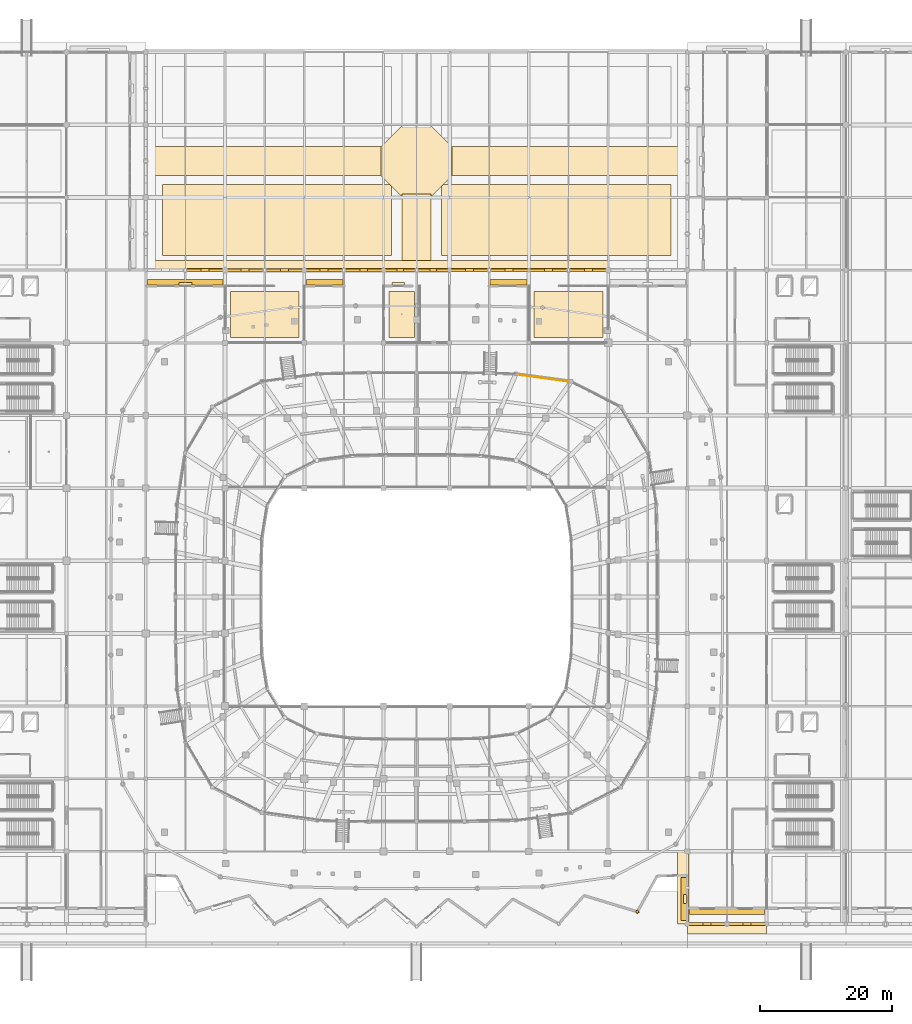
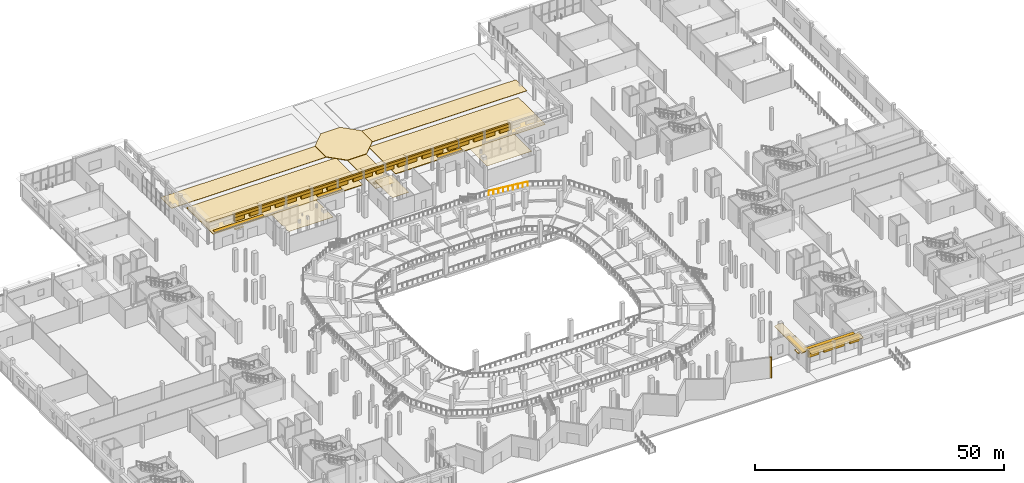
# One storey, part 107 of 120: 60 coverings, 5 shading devices, 1 railing.
"""IFC4 building model written with IfcOpenShell, lengths in metres."""

from ifc_helpers import new_model, si_unit, direction, frame, origin, origin_2d, place, context, subcontext, project, spatial, polyline, rectangle, circle, outline, extrude, material, layer, layer_set, type_object, element, save


model = new_model("IFC4")

# Units and contexts
model_context = context("Model", 3, precision=1e-05, world=origin(), true_north=direction((0.0, 1.0)))
body_context = subcontext(model_context, "Body", "Model", "MODEL_VIEW")
ifc_project = project(units=[si_unit("LENGTHUNIT", "METRE"), si_unit("AREAUNIT", "SQUARE_METRE"), si_unit("VOLUMEUNIT", "CUBIC_METRE"), si_unit("PLANEANGLEUNIT", "RADIAN"), si_unit("MASSUNIT", "GRAM", prefix="KILO")], contexts=[model_context])

# Site, building, storey
site_placement = place(None, origin())
site = spatial("IfcSite", under=ifc_project, at=site_placement, CompositionType="ELEMENT")
building_placement = place(site_placement, origin())
building = spatial("IfcBuilding", under=site, at=building_placement, Name="Luwafu Chhajja Arena", CompositionType="ELEMENT")
storey_placement = place(building_placement, origin())
storey = spatial("IfcBuildingStorey", under=building, at=storey_placement, Name="L00", CompositionType="ELEMENT", Elevation=0.0)

# Coverings
ifc_material_1 = material(Name="Red laterite sandstone cladding", Category="masonry")
ifc_layer_1 = layer(ifc_material_1, 0.074951171875, Name="Red laterite sandstone cladding")
ifc_layer_set_1 = layer_set([ifc_layer_1], Name="Red laterite sandstone cladding")
covering_type_1 = type_object("IfcCoveringType", Name="Dressed Red-Laterite Sandstone Cladding", PredefinedType="CLADDING", material=ifc_layer_set_1)
covering_1_placement = place(storey_placement, frame((132.427490234375, 1.864013671875, 0.0), z_axis=(0.0, 0.0, 1.0), x_axis=(0.574411104334, -0.818566969293, 0.0)))
element("IfcCovering", 1, at=covering_1_placement, inside=storey, type_object=covering_type_1, Name="L00 Pleated Bowl Sandstone Ridge Fin 28", PredefinedType="CLADDING", context=body_context, shape_type="SweptSolid", body=[
    extrude(rectangle(XDim=0.4599609375, YDim=0.360107421875, at=origin_2d()), origin(), (0.0, 0.0, 1.0), 5.054931640625),
])
covering_2_placement = place(storey_placement, frame((143.0, 0.0, 4.33984375), z_axis=(0.0, 0.0, 1.0), x_axis=(1.0, 0.0, 0.0)))
element("IfcCovering", 2, at=covering_2_placement, inside=storey, type_object=covering_type_1, Name="L00 Mughal Riwaq Arcade Arch Frieze SLW-05", PredefinedType="CLADDING", context=body_context, shape_type="SweptSolid", body=[
    extrude(rectangle(XDim=6.0, YDim=0.43994140625, at=origin_2d()), origin(), (0.0, 0.0, 1.0), 0.719970703125),
])
for number, where, z_axis, x_axis, name in (
    (3, (141.199951171875, 0.0, 3.43994140625), (0.0, 0.0, 1.0), (1.0, 0.0, 0.0), "L00 Mughal Riwaq Corbelled Arch Haunch SLW-05A"),
    (4, (144.800048828125, 0.0, 3.43994140625), (0.0, 0.0, 1.0), (1.0, 0.0, 0.0), "L00 Mughal Riwaq Corbelled Arch Haunch SLW-05B"),
):
    element("IfcCovering", number, at=place(storey_placement, frame(where, z_axis=z_axis, x_axis=x_axis)), inside=storey, type_object=covering_type_1, Name=name, PredefinedType="CLADDING", context=body_context, shape_type="SweptSolid", body=[
        extrude(rectangle(XDim=2.39990234375, YDim=0.39990234375, at=origin_2d()), origin(), (0.0, 0.0, 1.0), 0.9599609375),
    ])
covering_3_placement = place(storey_placement, frame((149.0, 0.0, 4.33984375), z_axis=(0.0, 0.0, 1.0), x_axis=(1.0, 0.0, 0.0)))
element("IfcCovering", 5, at=covering_3_placement, inside=storey, type_object=covering_type_1, Name="L00 Mughal Riwaq Arcade Arch Frieze SLW-06", PredefinedType="CLADDING", context=body_context, shape_type="SweptSolid", body=[
    extrude(rectangle(XDim=6.0, YDim=0.43994140625, at=origin_2d()), origin(), (0.0, 0.0, 1.0), 0.719970703125),
])
for number, where, z_axis, x_axis, name in (
    (6, (147.199951171875, 0.0, 3.43994140625), (0.0, 0.0, 1.0), (1.0, 0.0, 0.0), "L00 Mughal Riwaq Corbelled Arch Haunch SLW-06A"),
    (7, (150.800048828125, 0.0, 3.43994140625), (0.0, 0.0, 1.0), (1.0, 0.0, 0.0), "L00 Mughal Riwaq Corbelled Arch Haunch SLW-06B"),
):
    element("IfcCovering", number, at=place(storey_placement, frame(where, z_axis=z_axis, x_axis=x_axis)), inside=storey, type_object=covering_type_1, Name=name, PredefinedType="CLADDING", context=body_context, shape_type="SweptSolid", body=[
        extrude(rectangle(XDim=2.39990234375, YDim=0.39990234375, at=origin_2d()), origin(), (0.0, 0.0, 1.0), 0.9599609375),
    ])
covering_4_placement = place(storey_placement, frame((67.0, 99.0, 4.33984375), z_axis=(0.0, 0.0, 1.0), x_axis=(1.0, 0.0, 0.0)))
element("IfcCovering", 8, at=covering_4_placement, inside=storey, type_object=covering_type_1, Name="L00 Mughal Riwaq Arcade Arch Frieze CHS-16", PredefinedType="CLADDING", context=body_context, shape_type="SweptSolid", body=[
    extrude(rectangle(XDim=6.0, YDim=0.43994140625, at=origin_2d()), origin(), (0.0, 0.0, 1.0), 0.719970703125),
])
for number, where, z_axis, x_axis, name in (
    (9, (65.199951171875, 99.0, 3.43994140625), (0.0, 0.0, 1.0), (1.0, 0.0, 0.0), "L00 Mughal Riwaq Corbelled Arch Haunch CHS-16A"),
    (10, (68.800048828125, 99.0, 3.43994140625), (0.0, 0.0, 1.0), (1.0, 0.0, 0.0), "L00 Mughal Riwaq Corbelled Arch Haunch CHS-16B"),
):
    element("IfcCovering", number, at=place(storey_placement, frame(where, z_axis=z_axis, x_axis=x_axis)), inside=storey, type_object=covering_type_1, Name=name, PredefinedType="CLADDING", context=body_context, shape_type="SweptSolid", body=[
        extrude(rectangle(XDim=2.39990234375, YDim=0.39990234375, at=origin_2d()), origin(), (0.0, 0.0, 1.0), 0.9599609375),
    ])
covering_5_placement = place(storey_placement, frame((73.0, 99.0, 4.33984375), z_axis=(0.0, 0.0, 1.0), x_axis=(1.0, 0.0, 0.0)))
element("IfcCovering", 11, at=covering_5_placement, inside=storey, type_object=covering_type_1, Name="L00 Mughal Riwaq Arcade Arch Frieze CHS-17", PredefinedType="CLADDING", context=body_context, shape_type="SweptSolid", body=[
    extrude(rectangle(XDim=6.0, YDim=0.43994140625, at=origin_2d()), origin(), (0.0, 0.0, 1.0), 0.719970703125),
])
for number, where, z_axis, x_axis, name in (
    (12, (71.199951171875, 99.0, 3.43994140625), (0.0, 0.0, 1.0), (1.0, 0.0, 0.0), "L00 Mughal Riwaq Corbelled Arch Haunch CHS-17A"),
    (13, (74.800048828125, 99.0, 3.43994140625), (0.0, 0.0, 1.0), (1.0, 0.0, 0.0), "L00 Mughal Riwaq Corbelled Arch Haunch CHS-17B"),
):
    element("IfcCovering", number, at=place(storey_placement, frame(where, z_axis=z_axis, x_axis=x_axis)), inside=storey, type_object=covering_type_1, Name=name, PredefinedType="CLADDING", context=body_context, shape_type="SweptSolid", body=[
        extrude(rectangle(XDim=2.39990234375, YDim=0.39990234375, at=origin_2d()), origin(), (0.0, 0.0, 1.0), 0.9599609375),
    ])
covering_6_placement = place(storey_placement, frame((79.0, 99.0, 4.33984375), z_axis=(0.0, 0.0, 1.0), x_axis=(1.0, 0.0, 0.0)))
element("IfcCovering", 14, at=covering_6_placement, inside=storey, type_object=covering_type_1, Name="L00 Mughal Riwaq Arcade Arch Frieze CHS-18", PredefinedType="CLADDING", context=body_context, shape_type="SweptSolid", body=[
    extrude(rectangle(XDim=6.0, YDim=0.43994140625, at=origin_2d()), origin(), (0.0, 0.0, 1.0), 0.719970703125),
])
for number, where, z_axis, x_axis, name in (
    (15, (77.199951171875, 99.0, 3.43994140625), (0.0, 0.0, 1.0), (1.0, 0.0, 0.0), "L00 Mughal Riwaq Corbelled Arch Haunch CHS-18A"),
    (16, (80.800048828125, 99.0, 3.43994140625), (0.0, 0.0, 1.0), (1.0, 0.0, 0.0), "L00 Mughal Riwaq Corbelled Arch Haunch CHS-18B"),
):
    element("IfcCovering", number, at=place(storey_placement, frame(where, z_axis=z_axis, x_axis=x_axis)), inside=storey, type_object=covering_type_1, Name=name, PredefinedType="CLADDING", context=body_context, shape_type="SweptSolid", body=[
        extrude(rectangle(XDim=2.39990234375, YDim=0.39990234375, at=origin_2d()), origin(), (0.0, 0.0, 1.0), 0.9599609375),
    ])
covering_7_placement = place(storey_placement, frame((85.0, 99.0, 4.33984375), z_axis=(0.0, 0.0, 1.0), x_axis=(1.0, 0.0, 0.0)))
element("IfcCovering", 17, at=covering_7_placement, inside=storey, type_object=covering_type_1, Name="L00 Mughal Riwaq Arcade Arch Frieze CHS-19", PredefinedType="CLADDING", context=body_context, shape_type="SweptSolid", body=[
    extrude(rectangle(XDim=6.0, YDim=0.43994140625, at=origin_2d()), origin(), (0.0, 0.0, 1.0), 0.719970703125),
])
for number, where, z_axis, x_axis, name in (
    (18, (83.199951171875, 99.0, 3.43994140625), (0.0, 0.0, 1.0), (1.0, 0.0, 0.0), "L00 Mughal Riwaq Corbelled Arch Haunch CHS-19A"),
    (19, (86.800048828125, 99.0, 3.43994140625), (0.0, 0.0, 1.0), (1.0, 0.0, 0.0), "L00 Mughal Riwaq Corbelled Arch Haunch CHS-19B"),
):
    element("IfcCovering", number, at=place(storey_placement, frame(where, z_axis=z_axis, x_axis=x_axis)), inside=storey, type_object=covering_type_1, Name=name, PredefinedType="CLADDING", context=body_context, shape_type="SweptSolid", body=[
        extrude(rectangle(XDim=2.39990234375, YDim=0.39990234375, at=origin_2d()), origin(), (0.0, 0.0, 1.0), 0.9599609375),
    ])
covering_8_placement = place(storey_placement, frame((91.0, 99.0, 4.33984375), z_axis=(0.0, 0.0, 1.0), x_axis=(1.0, 0.0, 0.0)))
element("IfcCovering", 20, at=covering_8_placement, inside=storey, type_object=covering_type_1, Name="L00 Mughal Riwaq Arcade Arch Frieze CHS-20", PredefinedType="CLADDING", context=body_context, shape_type="SweptSolid", body=[
    extrude(rectangle(XDim=6.0, YDim=0.43994140625, at=origin_2d()), origin(), (0.0, 0.0, 1.0), 0.719970703125),
])
for number, where, z_axis, x_axis, name in (
    (21, (89.199951171875, 99.0, 3.43994140625), (0.0, 0.0, 1.0), (1.0, 0.0, 0.0), "L00 Mughal Riwaq Corbelled Arch Haunch CHS-20A"),
    (22, (92.800048828125, 99.0, 3.43994140625), (0.0, 0.0, 1.0), (1.0, 0.0, 0.0), "L00 Mughal Riwaq Corbelled Arch Haunch CHS-20B"),
):
    element("IfcCovering", number, at=place(storey_placement, frame(where, z_axis=z_axis, x_axis=x_axis)), inside=storey, type_object=covering_type_1, Name=name, PredefinedType="CLADDING", context=body_context, shape_type="SweptSolid", body=[
        extrude(rectangle(XDim=2.39990234375, YDim=0.39990234375, at=origin_2d()), origin(), (0.0, 0.0, 1.0), 0.9599609375),
    ])
covering_9_placement = place(storey_placement, frame((96.5, 99.0, 4.33984375), z_axis=(0.0, 0.0, 1.0), x_axis=(1.0, 0.0, 0.0)))
element("IfcCovering", 23, at=covering_9_placement, inside=storey, type_object=covering_type_1, Name="L00 Mughal Riwaq Arcade Arch Frieze CHS-21", PredefinedType="CLADDING", context=body_context, shape_type="SweptSolid", body=[
    extrude(rectangle(XDim=5.0, YDim=0.43994140625, at=origin_2d()), origin(), (0.0, 0.0, 1.0), 0.719970703125),
])
for number, where, z_axis, x_axis, name in (
    (24, (95.0, 99.0, 3.43994140625), (0.0, 0.0, 1.0), (1.0, 0.0, 0.0), "L00 Mughal Riwaq Corbelled Arch Haunch CHS-21A"),
    (25, (98.0, 99.0, 3.43994140625), (0.0, 0.0, 1.0), (1.0, 0.0, 0.0), "L00 Mughal Riwaq Corbelled Arch Haunch CHS-21B"),
):
    element("IfcCovering", number, at=place(storey_placement, frame(where, z_axis=z_axis, x_axis=x_axis)), inside=storey, type_object=covering_type_1, Name=name, PredefinedType="CLADDING", context=body_context, shape_type="SweptSolid", body=[
        extrude(rectangle(XDim=2.0, YDim=0.39990234375, at=origin_2d()), origin(), (0.0, 0.0, 1.0), 0.9599609375),
    ])
covering_10_placement = place(storey_placement, frame((101.5, 99.0, 4.33984375), z_axis=(0.0, 0.0, 1.0), x_axis=(1.0, 0.0, 0.0)))
element("IfcCovering", 26, at=covering_10_placement, inside=storey, type_object=covering_type_1, Name="L00 Mughal Riwaq Arcade Arch Frieze CHS-22", PredefinedType="CLADDING", context=body_context, shape_type="SweptSolid", body=[
    extrude(rectangle(XDim=5.0, YDim=0.43994140625, at=origin_2d()), origin(), (0.0, 0.0, 1.0), 0.719970703125),
])
for number, where, z_axis, x_axis, name in (
    (27, (100.0, 99.0, 3.43994140625), (0.0, 0.0, 1.0), (1.0, 0.0, 0.0), "L00 Mughal Riwaq Corbelled Arch Haunch CHS-22A"),
    (28, (103.0, 99.0, 3.43994140625), (0.0, 0.0, 1.0), (1.0, 0.0, 0.0), "L00 Mughal Riwaq Corbelled Arch Haunch CHS-22B"),
):
    element("IfcCovering", number, at=place(storey_placement, frame(where, z_axis=z_axis, x_axis=x_axis)), inside=storey, type_object=covering_type_1, Name=name, PredefinedType="CLADDING", context=body_context, shape_type="SweptSolid", body=[
        extrude(rectangle(XDim=2.0, YDim=0.39990234375, at=origin_2d()), origin(), (0.0, 0.0, 1.0), 0.9599609375),
    ])
covering_11_placement = place(storey_placement, frame((107.0, 99.0, 4.33984375), z_axis=(0.0, 0.0, 1.0), x_axis=(1.0, 0.0, 0.0)))
element("IfcCovering", 29, at=covering_11_placement, inside=storey, type_object=covering_type_1, Name="L00 Mughal Riwaq Arcade Arch Frieze CHS-23", PredefinedType="CLADDING", context=body_context, shape_type="SweptSolid", body=[
    extrude(rectangle(XDim=6.0, YDim=0.43994140625, at=origin_2d()), origin(), (0.0, 0.0, 1.0), 0.719970703125),
])
for number, where, z_axis, x_axis, name in (
    (30, (105.199951171875, 99.0, 3.43994140625), (0.0, 0.0, 1.0), (1.0, 0.0, 0.0), "L00 Mughal Riwaq Corbelled Arch Haunch CHS-23A"),
    (31, (108.800048828125, 99.0, 3.43994140625), (0.0, 0.0, 1.0), (1.0, 0.0, 0.0), "L00 Mughal Riwaq Corbelled Arch Haunch CHS-23B"),
):
    element("IfcCovering", number, at=place(storey_placement, frame(where, z_axis=z_axis, x_axis=x_axis)), inside=storey, type_object=covering_type_1, Name=name, PredefinedType="CLADDING", context=body_context, shape_type="SweptSolid", body=[
        extrude(rectangle(XDim=2.39990234375, YDim=0.39990234375, at=origin_2d()), origin(), (0.0, 0.0, 1.0), 0.9599609375),
    ])
covering_12_placement = place(storey_placement, frame((113.0, 99.0, 4.33984375), z_axis=(0.0, 0.0, 1.0), x_axis=(1.0, 0.0, 0.0)))
element("IfcCovering", 32, at=covering_12_placement, inside=storey, type_object=covering_type_1, Name="L00 Mughal Riwaq Arcade Arch Frieze CHS-24", PredefinedType="CLADDING", context=body_context, shape_type="SweptSolid", body=[
    extrude(rectangle(XDim=6.0, YDim=0.43994140625, at=origin_2d()), origin(), (0.0, 0.0, 1.0), 0.719970703125),
])
for number, where, z_axis, x_axis, name in (
    (33, (111.199951171875, 99.0, 3.43994140625), (0.0, 0.0, 1.0), (1.0, 0.0, 0.0), "L00 Mughal Riwaq Corbelled Arch Haunch CHS-24A"),
    (34, (114.800048828125, 99.0, 3.43994140625), (0.0, 0.0, 1.0), (1.0, 0.0, 0.0), "L00 Mughal Riwaq Corbelled Arch Haunch CHS-24B"),
):
    element("IfcCovering", number, at=place(storey_placement, frame(where, z_axis=z_axis, x_axis=x_axis)), inside=storey, type_object=covering_type_1, Name=name, PredefinedType="CLADDING", context=body_context, shape_type="SweptSolid", body=[
        extrude(rectangle(XDim=2.39990234375, YDim=0.39990234375, at=origin_2d()), origin(), (0.0, 0.0, 1.0), 0.9599609375),
    ])
covering_13_placement = place(storey_placement, frame((119.0, 99.0, 4.33984375), z_axis=(0.0, 0.0, 1.0), x_axis=(1.0, 0.0, 0.0)))
element("IfcCovering", 35, at=covering_13_placement, inside=storey, type_object=covering_type_1, Name="L00 Mughal Riwaq Arcade Arch Frieze CHS-25", PredefinedType="CLADDING", context=body_context, shape_type="SweptSolid", body=[
    extrude(rectangle(XDim=6.0, YDim=0.43994140625, at=origin_2d()), origin(), (0.0, 0.0, 1.0), 0.719970703125),
])
for number, where, z_axis, x_axis, name in (
    (36, (117.199951171875, 99.0, 3.43994140625), (0.0, 0.0, 1.0), (1.0, 0.0, 0.0), "L00 Mughal Riwaq Corbelled Arch Haunch CHS-25A"),
    (37, (120.800048828125, 99.0, 3.43994140625), (0.0, 0.0, 1.0), (1.0, 0.0, 0.0), "L00 Mughal Riwaq Corbelled Arch Haunch CHS-25B"),
):
    element("IfcCovering", number, at=place(storey_placement, frame(where, z_axis=z_axis, x_axis=x_axis)), inside=storey, type_object=covering_type_1, Name=name, PredefinedType="CLADDING", context=body_context, shape_type="SweptSolid", body=[
        extrude(rectangle(XDim=2.39990234375, YDim=0.39990234375, at=origin_2d()), origin(), (0.0, 0.0, 1.0), 0.9599609375),
    ])
covering_14_placement = place(storey_placement, frame((125.0, 99.0, 4.33984375), z_axis=(0.0, 0.0, 1.0), x_axis=(1.0, 0.0, 0.0)))
element("IfcCovering", 38, at=covering_14_placement, inside=storey, type_object=covering_type_1, Name="L00 Mughal Riwaq Arcade Arch Frieze CHS-26", PredefinedType="CLADDING", context=body_context, shape_type="SweptSolid", body=[
    extrude(rectangle(XDim=6.0, YDim=0.43994140625, at=origin_2d()), origin(), (0.0, 0.0, 1.0), 0.719970703125),
])
for number, where, z_axis, x_axis, name in (
    (39, (123.199951171875, 99.0, 3.43994140625), (0.0, 0.0, 1.0), (1.0, 0.0, 0.0), "L00 Mughal Riwaq Corbelled Arch Haunch CHS-26A"),
    (40, (126.800048828125, 99.0, 3.43994140625), (0.0, 0.0, 1.0), (1.0, 0.0, 0.0), "L00 Mughal Riwaq Corbelled Arch Haunch CHS-26B"),
):
    element("IfcCovering", number, at=place(storey_placement, frame(where, z_axis=z_axis, x_axis=x_axis)), inside=storey, type_object=covering_type_1, Name=name, PredefinedType="CLADDING", context=body_context, shape_type="SweptSolid", body=[
        extrude(rectangle(XDim=2.39990234375, YDim=0.39990234375, at=origin_2d()), origin(), (0.0, 0.0, 1.0), 0.9599609375),
    ])
covering_15_placement = place(storey_placement, frame((0.0, 0.0, -0.02001953125)))
element("IfcCovering", 41, at=covering_15_placement, inside=storey, type_object=covering_type_1, Name="L00 Charbagh Central Octagonal Reflection Basin Coping", PredefinedType="CLADDING", context=body_context, shape_type="SweptSolid", body=[
    extrude(outline(polyline([(104.35888671875, 117.719970703125), (101.219970703125, 120.85888671875), (96.780029296875, 120.85888671875), (93.64111328125, 117.719970703125), (93.64111328125, 113.280029296875), (96.780029296875, 110.14111328125), (101.219970703125, 110.14111328125), (104.35888671875, 113.280029296875), (104.35888671875, 117.719970703125)])), origin(), (0.0, 0.0, 1.0), 0.179931640625),
])
covering_16_placement = place(storey_placement, frame((0.0, 0.0, -0.02001953125)))
element("IfcCovering", 42, at=covering_16_placement, inside=storey, type_object=covering_type_1, Name="L00 Charbagh S Axial Sandstone Garden Walkway", PredefinedType="CLADDING", context=body_context, shape_type="SweptSolid", body=[
    extrude(outline(polyline([(96.800048828125, 98.800048828125), (101.199951171875, 98.800048828125), (101.199951171875, 110.5), (96.800048828125, 110.5), (96.800048828125, 98.800048828125)])), origin(), (0.0, 0.0, 1.0), 0.10009765625),
])
covering_17_placement = place(storey_placement, frame((0.0, 0.0, -0.02001953125)))
element("IfcCovering", 43, at=covering_17_placement, inside=storey, type_object=covering_type_1, Name="L00 Charbagh W Axial Sandstone Garden Walkway", PredefinedType="CLADDING", context=body_context, shape_type="SweptSolid", body=[
    extrude(outline(polyline([(57.800048828125, 113.300048828125), (94.0, 113.300048828125), (94.0, 117.699951171875), (57.800048828125, 117.699951171875), (57.800048828125, 113.300048828125)])), origin(), (0.0, 0.0, 1.0), 0.10009765625),
])
covering_18_placement = place(storey_placement, frame((0.0, 0.0, -0.02001953125)))
element("IfcCovering", 44, at=covering_18_placement, inside=storey, type_object=covering_type_1, Name="L00 Charbagh E Axial Sandstone Garden Walkway", PredefinedType="CLADDING", context=body_context, shape_type="SweptSolid", body=[
    extrude(outline(polyline([(104.0, 113.300048828125), (140.199951171875, 113.300048828125), (140.199951171875, 117.699951171875), (104.0, 117.699951171875), (104.0, 113.300048828125)])), origin(), (0.0, 0.0, 1.0), 0.10009765625),
])
for number, where, z_axis, x_axis, name in (
    (45, (58.0, 98.800048828125, 5.360107421875), (0.0, 0.242635142566, 0.970117615339), (1.0, 0.0, 0.0), "L00 Continuous Sloped Sandstone Chhajja Eave 0027"),
    (46, (70.0, 98.800048828125, 5.360107421875), (0.0, 0.242635142566, 0.970117615339), (1.0, 0.0, 0.0), "L00 Continuous Sloped Sandstone Chhajja Eave 0028"),
    (47, (82.0, 98.800048828125, 5.360107421875), (0.0, 0.242635142566, 0.970117615339), (1.0, 0.0, 0.0), "L00 Continuous Sloped Sandstone Chhajja Eave 0029"),
):
    element("IfcCovering", number, at=place(storey_placement, frame(where, z_axis=z_axis, x_axis=x_axis)), inside=storey, type_object=covering_type_1, Name=name, PredefinedType="CLADDING", context=body_context, shape_type="SweptSolid", body=[
        extrude(outline(polyline([(0.0, 0.0), (12.0, 0.0), (12.0, 1.7316783182390405), (0.0, 1.7316783182390405), (0.0, 0.0)])), origin(), (0.0, 0.0, -1.0), 0.1298828125),
    ])
covering_19_placement = place(storey_placement, frame((94.0, 98.800048828125, 5.360107421875), z_axis=(0.0, 0.242635142566, 0.970117615339), x_axis=(1.0, 0.0, 0.0)))
element("IfcCovering", 48, at=covering_19_placement, inside=storey, type_object=covering_type_1, Name="L00 Continuous Sloped Sandstone Chhajja Eave 0030", PredefinedType="CLADDING", context=body_context, shape_type="SweptSolid", body=[
    extrude(outline(polyline([(0.0, 0.0), (10.0, 0.0), (10.0, 1.7316783182390405), (0.0, 1.7316783182390405), (0.0, 0.0)])), origin(), (0.0, 0.0, -1.0), 0.1298828125),
])
for number, where, z_axis, x_axis, name in (
    (49, (104.0, 98.800048828125, 5.360107421875), (0.0, 0.242635142566, 0.970117615339), (1.0, 0.0, 0.0), "L00 Continuous Sloped Sandstone Chhajja Eave 0031"),
    (50, (116.0, 98.800048828125, 5.360107421875), (0.0, 0.242635142566, 0.970117615339), (1.0, 0.0, 0.0), "L00 Continuous Sloped Sandstone Chhajja Eave 0032"),
):
    element("IfcCovering", number, at=place(storey_placement, frame(where, z_axis=z_axis, x_axis=x_axis)), inside=storey, type_object=covering_type_1, Name=name, PredefinedType="CLADDING", context=body_context, shape_type="SweptSolid", body=[
        extrude(outline(polyline([(0.0, 0.0), (12.0, 0.0), (12.0, 1.7316783182390405), (0.0, 1.7316783182390405), (0.0, 0.0)])), origin(), (0.0, 0.0, -1.0), 0.1298828125),
    ])
covering_20_placement = place(storey_placement, frame((140.0, 0.199951171875, 5.360107421875), z_axis=(0.0, -0.242635142566, 0.970117615339), x_axis=(1.0, 0.0, 0.0)))
element("IfcCovering", 51, at=covering_20_placement, inside=storey, type_object=covering_type_1, Name="L00 Continuous Sloped Sandstone Chhajja Eave 0034", PredefinedType="CLADDING", context=body_context, shape_type="SweptSolid", body=[
    extrude(outline(polyline([(0.0, 0.0), (12.0, 0.0), (12.0, -1.7316783182390405), (0.0, -1.7316783182390405), (0.0, 0.0)])), origin(), (0.0, 0.0, -1.0), 0.1298828125),
])
covering_21_placement = place(storey_placement, frame((140.199951171875, 0.0, 5.360107421875), z_axis=(-0.242635142566, 0.0, 0.970117615339), x_axis=(0.0, 1.0, 0.0)))
element("IfcCovering", 52, at=covering_21_placement, inside=storey, type_object=covering_type_1, Name="L00 Continuous Sloped Sandstone Chhajja Eave 0035", PredefinedType="CLADDING", context=body_context, shape_type="SweptSolid", body=[
    extrude(outline(polyline([(0.0, 0.0), (11.0, 0.0), (11.0, 1.7316783182390405), (0.0, 1.7316783182390405), (0.0, 0.0)])), origin(), (0.0, 0.0, -1.0), 0.1298828125),
])
covering_22_placement = place(storey_placement, frame((64.0, 96.93994140625, 2.97998046875), z_axis=(0.0, 0.0, 1.0), x_axis=(1.0, 0.0, 0.0)))
element("IfcCovering", 53, at=covering_22_placement, inside=storey, type_object=covering_type_1, Name="L00 Mughal Sandstone Window Chhajja Hood 0160", PredefinedType="CLADDING", context=body_context, shape_type="SweptSolid", body=[
    extrude(rectangle(XDim=2.0, YDim=0.419921875, at=origin_2d()), origin(), (0.0, 0.0, 1.0), 0.139892578125),
])
covering_23_placement = place(storey_placement, frame((96.22900390625, 96.93994140625, 2.93017578125), z_axis=(0.0, 0.0, 1.0), x_axis=(1.0, 0.0, 0.0)))
element("IfcCovering", 54, at=covering_23_placement, inside=storey, type_object=covering_type_1, Name="L00 Mughal Sandstone Window Chhajja Hood 0161", PredefinedType="CLADDING", context=body_context, shape_type="SweptSolid", body=[
    extrude(rectangle(XDim=1.85009765625, YDim=0.419921875, at=origin_2d()), origin(), (0.0, 0.0, 1.0), 0.139892578125),
])
covering_24_placement = place(storey_placement, frame((139.659912109375, 3.7841796875, 2.6298828125), z_axis=(0.0, 0.0, 1.0), x_axis=(0.0, 1.0, 0.0)))
element("IfcCovering", 55, at=covering_24_placement, inside=storey, type_object=covering_type_1, Name="L00 Mughal Sandstone Window Chhajja Hood 0163", PredefinedType="CLADDING", context=body_context, shape_type="SweptSolid", body=[
    extrude(rectangle(XDim=1.39990234375, YDim=0.419921875, at=origin_2d()), origin(), (0.0, 0.0, 1.0), 0.139892578125),
])
ifc_material_2 = material(Name="Acoustic gypsum ceiling board")
ifc_layer_2 = layer(ifc_material_2, 0.0400390625, Name="Acoustic gypsum ceiling board")
ifc_layer_set_2 = layer_set([ifc_layer_2], Name="Acoustic gypsum ceiling board")
covering_type_2 = type_object("IfcCoveringType", Name="Perforated Acoustic Baffle Ceiling", PredefinedType="CEILING", material=ifc_layer_set_2)
covering_25_placement = place(storey_placement, frame((0.0, 0.0, 4.581298828125)))
element("IfcCovering", 56, at=covering_25_placement, inside=storey, type_object=covering_type_2, Name="L00 Acoustic Baffle Ceiling 010", PredefinedType="CEILING", context=body_context, shape_type="SweptSolid", body=[
    extrude(outline(polyline([(70.800048828125, 88.800048828125), (81.199951171875, 88.800048828125), (81.199951171875, 95.800048828125), (70.800048828125, 95.800048828125), (70.800048828125, 88.800048828125)])), origin(), (0.0, 0.0, 1.0), 0.0400390625),
])
covering_26_placement = place(storey_placement, frame((0.0, 0.0, 4.5029296875)))
element("IfcCovering", 57, at=covering_26_placement, inside=storey, type_object=covering_type_2, Name="L00 Acoustic Baffle Ceiling 011", PredefinedType="CEILING", context=body_context, shape_type="SweptSolid", body=[
    extrude(outline(polyline([(94.800048828125, 88.800048828125), (98.699951171875, 88.800048828125), (98.699951171875, 95.800048828125), (94.800048828125, 95.800048828125), (94.800048828125, 88.800048828125)])), origin(), (0.0, 0.0, 1.0), 0.0400390625),
])
covering_27_placement = place(storey_placement, frame((0.0, 0.0, 4.581298828125)))
element("IfcCovering", 58, at=covering_27_placement, inside=storey, type_object=covering_type_2, Name="L00 Acoustic Baffle Ceiling 012", PredefinedType="CEILING", context=body_context, shape_type="SweptSolid", body=[
    extrude(outline(polyline([(116.800048828125, 88.800048828125), (127.199951171875, 88.800048828125), (127.199951171875, 95.800048828125), (116.800048828125, 95.800048828125), (116.800048828125, 88.800048828125)])), origin(), (0.0, 0.0, 1.0), 0.0400390625),
])

# Railing
ifc_material_3 = material(Name="Stainless steel balustrade", Category="steel")
railing_type = type_object("IfcRailingType", Name="Seating Bowl Sightline Barrier 1100", PredefinedType="BALUSTRADE", material=ifc_material_3)
railing_placement = place(storey_placement, frame((122.363525390625, 82.064453125, 1.85009765625)))
element("IfcRailing", 59, at=railing_placement, inside=storey, type_object=railing_type, Name="L00 Lower Tier Rear Barrier 0068", PredefinedType="BALUSTRADE", context=body_context, shape_type="SweptSolid", body=[
    extrude(circle(Radius=0.02392578125, at=origin_2d()), frame((0.0, 0.0, 1.09619140625), z_axis=(-0.990868803702, 0.134829573353, 0.0), x_axis=(-0.134829573353, -0.990868803702, 0.0)), (0.0, 0.0, 1.0), 8.45068359375),
    extrude(circle(Radius=0.02099609375, at=origin_2d()), origin(), (0.0, 0.0, 1.0), 1.072021484375),
    extrude(circle(Radius=0.02099609375, at=origin_2d()), frame((-1.046630859375, 0.142333984375, 0.0)), (0.0, 0.0, 1.0), 1.072021484375),
    extrude(circle(Radius=0.02099609375, at=origin_2d()), frame((-2.09326171875, 0.284912109375, 0.0)), (0.0, 0.0, 1.0), 1.072021484375),
    extrude(circle(Radius=0.02099609375, at=origin_2d()), frame((-3.14013671875, 0.42724609375, 0.0)), (0.0, 0.0, 1.0), 1.072021484375),
    extrude(circle(Radius=0.02099609375, at=origin_2d()), frame((-4.186767578125, 0.56982421875, 0.0)), (0.0, 0.0, 1.0), 1.072021484375),
    extrude(circle(Radius=0.02099609375, at=origin_2d()), frame((-5.2333984375, 0.712158203125, 0.0)), (0.0, 0.0, 1.0), 1.072021484375),
    extrude(circle(Radius=0.02099609375, at=origin_2d()), frame((-6.2802734375, 0.8544921875, 0.0)), (0.0, 0.0, 1.0), 1.072021484375),
    extrude(circle(Radius=0.02099609375, at=origin_2d()), frame((-7.326904296875, 0.9970703125, 0.0)), (0.0, 0.0, 1.0), 1.072021484375),
    extrude(circle(Radius=0.02099609375, at=origin_2d()), frame((-8.37353515625, 1.139404296875, 0.0)), (0.0, 0.0, 1.0), 1.072021484375),
])

# Shading devices
ifc_material_4 = material(Name="Red laterite sandstone chhajja", Category="masonry")
ifc_layer_3 = layer(ifc_material_4, 0.1201171875, Name="Red laterite sandstone chhajja")
ifc_layer_set_3 = layer_set([ifc_layer_3], Name="Red laterite sandstone chhajja")
shading_device_type = type_object("IfcShadingDeviceType", Name="Sloped Red-Sandstone Chhajja Eave", PredefinedType="USERDEFINED", material=ifc_layer_set_3)
shading_device_1_placement = place(storey_placement, frame((64.0, 97.139892578125, 3.929931640625), z_axis=(0.0, 0.0, 1.0), x_axis=(1.0, 0.0, 0.0)))
element("IfcShadingDevice", 60, at=shading_device_1_placement, inside=storey, type_object=shading_device_type, Name="L00 Sloped Red-Sandstone Chhajja Eave 015", ObjectType="CHHAJJA", PredefinedType="USERDEFINED", context=body_context, shape_type="SweptSolid", body=[
    extrude(rectangle(XDim=11.39990234375, YDim=0.820068359375, at=origin_2d()), origin(), (0.0, 0.0, 1.0), 0.1201171875),
])
for number, where, z_axis, x_axis, name in (
    (61, (85.07861328125, 97.139892578125, 4.146484375), (0.0, 0.0, 1.0), (1.0, 0.0, 0.0), "L00 Sloped Red-Sandstone Chhajja Eave 016"),
    (62, (112.92138671875, 97.139892578125, 4.079833984375), (0.0, 0.0, 1.0), (1.0, 0.0, 0.0), "L00 Sloped Red-Sandstone Chhajja Eave 017"),
):
    element("IfcShadingDevice", number, at=place(storey_placement, frame(where, z_axis=z_axis, x_axis=x_axis)), inside=storey, type_object=shading_device_type, Name=name, ObjectType="CHHAJJA", PredefinedType="USERDEFINED", context=body_context, shape_type="SweptSolid", body=[
        extrude(rectangle(XDim=5.55712890625, YDim=0.820068359375, at=origin_2d()), origin(), (0.0, 0.0, 1.0), 0.1201171875),
    ])
shading_device_2_placement = place(storey_placement, frame((146.0, 1.860107421875, 4.1298828125), z_axis=(0.0, 0.0, 1.0), x_axis=(1.0, 0.0, 0.0)))
element("IfcShadingDevice", 63, at=shading_device_2_placement, inside=storey, type_object=shading_device_type, Name="L00 Sloped Red-Sandstone Chhajja Eave 019", ObjectType="CHHAJJA", PredefinedType="USERDEFINED", context=body_context, shape_type="SweptSolid", body=[
    extrude(rectangle(XDim=11.39990234375, YDim=0.820068359375, at=origin_2d()), origin(), (0.0, 0.0, 1.0), 0.1201171875),
])
shading_device_3_placement = place(storey_placement, frame((139.4599609375, 3.7841796875, 4.5234375), z_axis=(0.0, 0.0, 1.0), x_axis=(0.0, 1.0, 0.0)))
element("IfcShadingDevice", 64, at=shading_device_3_placement, inside=storey, type_object=shading_device_type, Name="L00 Sloped Red-Sandstone Chhajja Eave 020", ObjectType="CHHAJJA", PredefinedType="USERDEFINED", context=body_context, shape_type="SweptSolid", body=[
    extrude(rectangle(XDim=6.5283203125, YDim=0.820068359375, at=origin_2d()), origin(), (0.0, 0.0, 1.0), 0.1201171875),
])

# Coverings
ifc_material_5 = material(Name="White architectural roof membrane")
ifc_layer_4 = layer(ifc_material_5, 0.06005859375, Name="White architectural roof membrane")
ifc_layer_set_4 = layer_set([ifc_layer_4], Name="White architectural roof membrane")
covering_type_3 = type_object("IfcCoveringType", Name="White Architectural Standing-Seam Roofing", PredefinedType="ROOFING", material=ifc_layer_set_4)
covering_28_placement = place(storey_placement, origin())
element("IfcCovering", 65, at=covering_28_placement, inside=storey, type_object=covering_type_3, Name="L00 Charbagh Parterre Quadrant Border 1", PredefinedType="ROOFING", context=body_context, shape_type="SweptSolid", body=[
    extrude(outline(polyline([(60.5, 101.199951171875), (95.199951171875, 101.199951171875), (95.199951171875, 112.0), (60.5, 112.0), (60.5, 101.199951171875)])), origin(), (0.0, 0.0, 1.0), 0.139892578125),
])
covering_29_placement = place(storey_placement, origin())
element("IfcCovering", 66, at=covering_29_placement, inside=storey, type_object=covering_type_3, Name="L00 Charbagh Parterre Quadrant Border 2", PredefinedType="ROOFING", context=body_context, shape_type="SweptSolid", body=[
    extrude(outline(polyline([(102.800048828125, 101.199951171875), (137.5, 101.199951171875), (137.5, 112.0), (102.800048828125, 112.0), (102.800048828125, 101.199951171875)])), origin(), (0.0, 0.0, 1.0), 0.139892578125),
])

save(model, "model.ifc")
